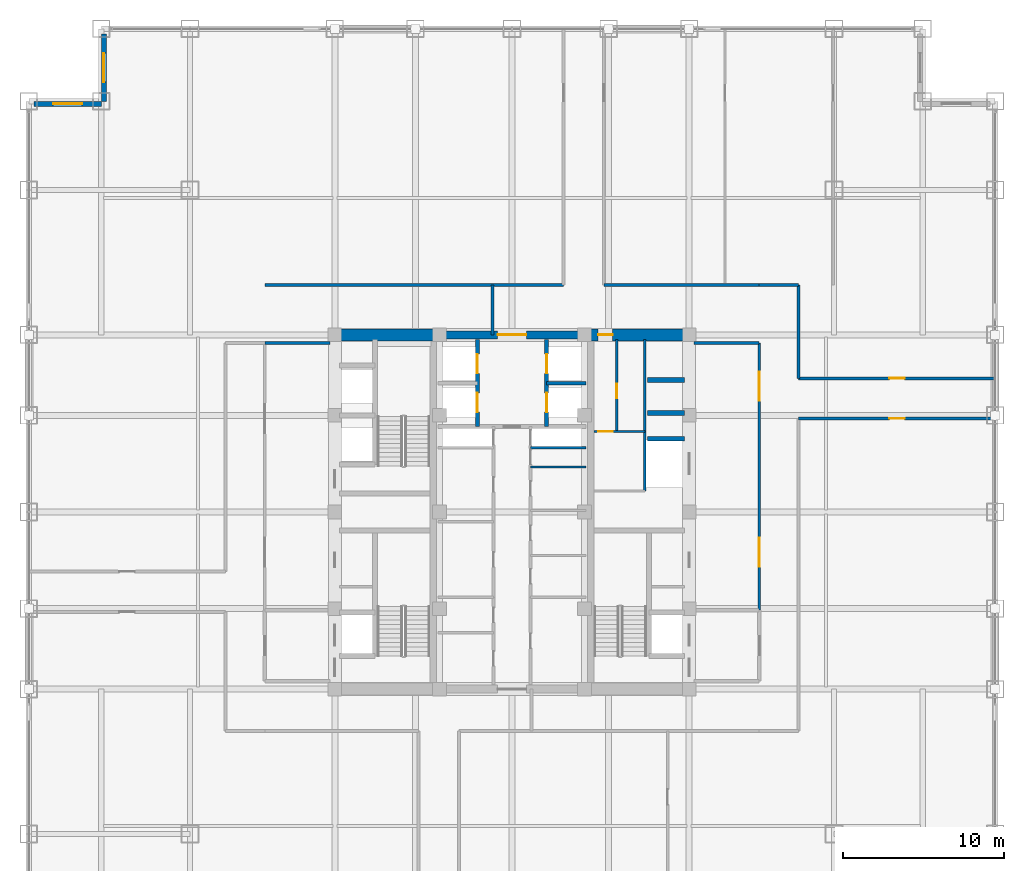
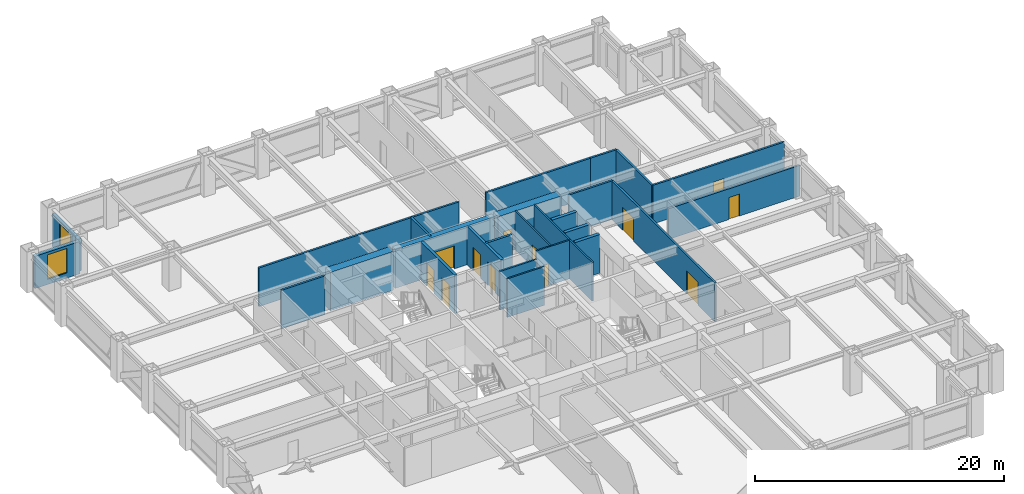
# One storey, part 22 of 24: 26 walls, 12 doors, 2 windows, 14 openings.
"""IFC4 building model written with IfcOpenShell, lengths in metres."""

from ifc_helpers import new_model, si_unit, direction, frame, frame_2d, origin, place, context, subcontext, project, spatial, rectangle, extrude, source, transform, mapped, material, layer, layer_set, type_object, element, fill, save


model = new_model("IFC4")

# Units and contexts
model_context = context("Model", 3, precision=1e-05, world=origin(), true_north=direction((0.0, 1.0)))
body_context = subcontext(model_context, "Body", "Model", "MODEL_VIEW")
ifc_project = project(units=[si_unit("LENGTHUNIT", "METRE"), si_unit("AREAUNIT", "SQUARE_METRE"), si_unit("VOLUMEUNIT", "CUBIC_METRE"), si_unit("PLANEANGLEUNIT", "RADIAN"), si_unit("MASSUNIT", "GRAM", prefix="KILO")], contexts=[model_context])

# Site, building, storey
site_placement = place(None, origin())
site = spatial("IfcSite", under=ifc_project, at=site_placement, CompositionType="ELEMENT")
building_placement = place(site_placement, origin())
building = spatial("IfcBuilding", under=site, at=building_placement, Name="Khorayat Bourse Tower", CompositionType="ELEMENT")
storey_placement = place(building_placement, frame((0.0, 0.0, 167.10009765625)))
storey = spatial("IfcBuildingStorey", under=building, at=storey_placement, Name="L38", CompositionType="ELEMENT", Elevation=167.10009765625)

# Wall
ifc_material_1 = material(Name="Concrete C72/90", Category="concrete")
ifc_layer_1 = layer(ifc_material_1, 0.75)
ifc_layer_set_1 = layer_set([ifc_layer_1], Name="Concrete C72/90")
wall_type_1 = type_object("IfcWallType", Name="WAL-CORE-750", PredefinedType="SHEAR", material=ifc_layer_set_1)
shared_shape_1 = source(origin(), body_context, "Body", "SweptSolid", [
    extrude(rectangle(XDim=5.849853515625, YDim=0.75, at=frame_2d((2.9248046875, 0.0))), origin(), (0.0, 0.0, 1.0), 3.77978515625),
])
wall_1_placement = place(storey_placement, frame((-10.699951171875, 11.0, 0.0), z_axis=(0.0, 0.0, 1.0), x_axis=(1.0, 0.0, 0.0)))
element("IfcWall", 1, at=wall_1_placement, inside=storey, type_object=wall_type_1, Name="L38 Core Shear Wall PIER-WN", PredefinedType="SHEAR", context=body_context, shape_type="MappedRepresentation", body=[
    mapped(shared_shape_1, transform((0.0, 0.0, 0.0), scale=1.0)),
])

# Wall, opening, door
wall_2_placement = place(storey_placement, frame((4.85009765625, 11.0, 0.0), z_axis=(0.0, 0.0, 1.0), x_axis=(1.0, 0.0, 0.0)))
wall_2 = element("IfcWall", 2, at=wall_2_placement, inside=storey, type_object=wall_type_1, Name="L38 Core Shear Wall PIER-EN", PredefinedType="SHEAR", context=body_context, shape_type="MappedRepresentation", body=[
    mapped(shared_shape_1, transform((0.0, 0.0, 0.0), scale=1.0)),
])
shared_shape_2 = source(origin(), body_context, "Body", "SweptSolid", [
    extrude(rectangle(XDim=0.89990234375, YDim=2.14990234375, at=frame_2d((0.449951171875, 1.074951171875))), frame((0.0, 0.385009765625, 0.0), z_axis=(0.0, -1.0, 0.0), x_axis=(1.0, 0.0, 0.0)), (0.0, 0.0, 1.0), 0.77001953125),
])
opening_1_placement = place(wall_2_placement, frame((0.5, 0.0, 0.0)))
opening_1 = element("IfcOpeningElement", 3, at=opening_1_placement, cuts=wall_2, Name="Opening DI-06", PredefinedType="OPENING", context=body_context, shape_type="MappedRepresentation", body=[
    mapped(shared_shape_2, transform((0.0, 0.0, 0.0), scale=1.0)),
])
ifc_material_2 = material(Name="Moisture-resistant laminate washroom door")
door_type_1 = type_object("IfcDoorType", Name="DR-INT-WC-900", OperationType="NOTDEFINED", PredefinedType="DOOR", material=ifc_material_2)
shared_shape_3 = source(origin(), body_context, "Body", "SweptSolid", [
    extrude(rectangle(XDim=0.89990234375, YDim=2.14990234375, at=frame_2d((0.449951171875, 1.074951171875))), frame((0.0, 0.02490234375, 0.0), z_axis=(0.0, -1.0, 0.0), x_axis=(1.0, 0.0, 0.0)), (0.0, 0.0, 1.0), 0.050048828125),
])
door_1_placement = place(opening_1_placement, origin())
door_1 = element("IfcDoor", 4, at=door_1_placement, inside=storey, type_object=door_type_1, Name="L38 Core Washroom Lobby Door", OperationType="SINGLE_SWING_LEFT", OverallHeight=2.14990234375, OverallWidth=0.89990234375, PredefinedType="DOOR", context=body_context, shape_type="MappedRepresentation", body=[
    mapped(shared_shape_3, transform((0.0, 0.0, 0.0), scale=1.0)),
])
fill(opening_1, door_1)

ifc_material_3 = material(Name="Concrete C52/65", Category="concrete")
ifc_layer_2 = layer(ifc_material_3, 0.5)
ifc_layer_set_2 = layer_set([ifc_layer_2], Name="Concrete C52/65")
wall_type_2 = type_object("IfcWallType", Name="WAL-CORE-500", PredefinedType="SHEAR", material=ifc_layer_set_2)
shared_shape_4 = source(origin(), body_context, "Body", "SweptSolid", [
    extrude(rectangle(XDim=9.2001953125, YDim=0.5, at=frame_2d((4.60009765625, 0.0))), origin(), (0.0, 0.0, 1.0), 3.77978515625),
])
wall_3_placement = place(storey_placement, frame((-4.60009765625, 11.0, 0.0), z_axis=(0.0, 0.0, 1.0), x_axis=(1.0, 0.0, 0.0)))
wall_3 = element("IfcWall", 5, at=wall_3_placement, inside=storey, type_object=wall_type_2, Name="L38 Core Shear Wall CORE-N", PredefinedType="SHEAR", context=body_context, shape_type="MappedRepresentation", body=[
    mapped(shared_shape_4, transform((0.0, 0.0, 0.0), scale=1.0)),
])
shared_shape_5 = source(origin(), body_context, "Body", "SweptSolid", [
    extrude(rectangle(XDim=1.800048828125, YDim=2.25, at=frame_2d((0.89990234375, 1.125))), frame((0.0, 0.260009765625, 0.0), z_axis=(0.0, -1.0, 0.0), x_axis=(1.0, 0.0, 0.0)), (0.0, 0.0, 1.0), 0.52001953125),
])
opening_2_placement = place(wall_3_placement, frame((3.699951171875, 0.0, 0.0)))
opening_2 = element("IfcOpeningElement", 6, at=opening_2_placement, cuts=wall_3, Name="Opening DI-03", PredefinedType="OPENING", context=body_context, shape_type="MappedRepresentation", body=[
    mapped(shared_shape_5, transform((0.0, 0.0, 0.0), scale=1.0)),
])
ifc_material_4 = material(Name="Fire-rated hardwood vision-panel double leaf", Category="wood")
door_type_2 = type_object("IfcDoorType", Name="DR-INT-CORR-1800", OperationType="NOTDEFINED", PredefinedType="DOOR", material=ifc_material_4)
shared_shape_6 = source(origin(), body_context, "Body", "SweptSolid", [
    extrude(rectangle(XDim=1.800048828125, YDim=2.25, at=frame_2d((0.89990234375, 1.125))), frame((0.0, 0.02490234375, 0.0), z_axis=(0.0, -1.0, 0.0), x_axis=(1.0, 0.0, 0.0)), (0.0, 0.0, 1.0), 0.050048828125),
])
door_2_placement = place(opening_2_placement, origin())
door_2 = element("IfcDoor", 7, at=door_2_placement, inside=storey, type_object=door_type_2, Name="L38 Mid-Rise Lift Lobby Door", OperationType="SINGLE_SWING_RIGHT", OverallHeight=2.25, OverallWidth=1.800048828125, PredefinedType="DOOR", context=body_context, shape_type="MappedRepresentation", body=[
    mapped(shared_shape_6, transform((0.0, 0.0, 0.0), scale=1.0)),
])
fill(opening_2, door_2)

# Wall, opening, window
ifc_material_5 = material(Name="Precast concrete C45/55", Category="concrete")
ifc_layer_3 = layer(ifc_material_5, 0.320068359375)
ifc_layer_set_3 = layer_set([ifc_layer_3], Name="Precast concrete C45/55")
wall_type_3 = type_object("IfcWallType", Name="WAL-EXT-STONE-320", PredefinedType="STANDARD", material=ifc_layer_set_3)
shared_shape_7 = source(origin(), body_context, "Body", "SweptSolid", [
    extrude(rectangle(XDim=4.179931640625, YDim=0.320068359375, at=frame_2d((2.08984375, 0.0))), origin(), (0.0, 0.0, 1.0), 3.163818359375),
])
wall_4_placement = place(storey_placement, frame((-25.340087890625, 25.5, 0.0), z_axis=(0.0, 0.0, 1.0), x_axis=(0.0, 1.0, 0.0)))
wall_4 = element("IfcWall", 8, at=wall_4_placement, inside=storey, type_object=wall_type_3, Name="L38 Re-Entrant Notch Limestone Wall NW-V", PredefinedType="STANDARD", context=body_context, shape_type="MappedRepresentation", body=[
    mapped(shared_shape_7, transform((0.0, 0.0, 0.0), scale=1.0)),
])
shared_shape_8 = source(origin(), body_context, "Body", "SweptSolid", [
    extrude(rectangle(XDim=1.800048828125, YDim=2.39990234375, at=frame_2d((0.89990234375, 1.199951171875))), frame((0.0, 0.169921875, 0.0), z_axis=(0.0, -1.0, 0.0), x_axis=(1.0, 0.0, 0.0)), (0.0, 0.0, 1.0), 0.340087890625),
])
opening_3_placement = place(wall_4_placement, frame((1.18994140625, 0.0, 0.5)))
opening_3 = element("IfcOpeningElement", 9, at=opening_3_placement, cuts=wall_4, Name="Opening WN-04", PredefinedType="OPENING", context=body_context, shape_type="MappedRepresentation", body=[
    mapped(shared_shape_8, transform((0.0, 0.0, 0.0), scale=1.0)),
])
ifc_material_6 = material(Name="Low-E acoustic laminated double glazing", Category="glass")
window_type = type_object("IfcWindowType", Name="WIN-NOTCH-1800x2400", PartitioningType="SINGLE_PANEL", PredefinedType="WINDOW", material=ifc_material_6)
shared_shape_9 = source(origin(), body_context, "Body", "SweptSolid", [
    extrude(rectangle(XDim=1.800048828125, YDim=2.39990234375, at=frame_2d((0.89990234375, 1.199951171875))), frame((0.0, 0.030029296875, 0.0), z_axis=(0.0, -1.0, 0.0), x_axis=(1.0, 0.0, 0.0)), (0.0, 0.0, 1.0), 0.06005859375),
])
window_1_placement = place(opening_3_placement, origin())
window_1 = element("IfcWindow", 10, at=window_1_placement, inside=storey, type_object=window_type, Name="L38 Facade Window 1", OverallHeight=2.39990234375, OverallWidth=1.800048828125, PartitioningType="SINGLE_PANEL", PredefinedType="WINDOW", context=body_context, shape_type="MappedRepresentation", body=[
    mapped(shared_shape_9, transform((0.0, 0.0, 0.0), scale=1.0)),
])
fill(opening_3, window_1)

wall_5_placement = place(storey_placement, frame((-25.5, 25.340087890625, 0.0), z_axis=(0.0, 0.0, 1.0), x_axis=(-1.0, 0.0, 0.0)))
wall_5 = element("IfcWall", 11, at=wall_5_placement, inside=storey, type_object=wall_type_3, Name="L38 Re-Entrant Notch Limestone Wall NW-H", PredefinedType="STANDARD", context=body_context, shape_type="MappedRepresentation", body=[
    mapped(shared_shape_7, transform((0.0, 0.0, 0.0), scale=1.0)),
])
opening_4_placement = place(wall_5_placement, frame((1.18994140625, 0.0, 0.5)))
opening_4 = element("IfcOpeningElement", 12, at=opening_4_placement, cuts=wall_5, Name="Opening WN-04", PredefinedType="OPENING", context=body_context, shape_type="MappedRepresentation", body=[
    mapped(shared_shape_8, transform((0.0, 0.0, 0.0), scale=1.0)),
])
window_2_placement = place(opening_4_placement, origin())
window_2 = element("IfcWindow", 13, at=window_2_placement, inside=storey, type_object=window_type, Name="L38 Facade Window 1", OverallHeight=2.39990234375, OverallWidth=1.800048828125, PartitioningType="SINGLE_PANEL", PredefinedType="WINDOW", context=body_context, shape_type="MappedRepresentation", body=[
    mapped(shared_shape_9, transform((0.0, 0.0, 0.0), scale=1.0)),
])
fill(opening_4, window_2)

# Walls
ifc_material_7 = material(Name="Concrete C50/60", Category="concrete")
ifc_layer_4 = layer(ifc_material_7, 0.300048828125)
ifc_layer_set_4 = layer_set([ifc_layer_4], Name="Concrete C50/60")
wall_type_4 = type_object("IfcWallType", Name="WAL-SHAFT-300", PredefinedType="SHEAR", material=ifc_layer_set_4)
shared_shape_10 = source(origin(), body_context, "Body", "SweptSolid", [
    extrude(rectangle(XDim=2.300048828125, YDim=0.300048828125, at=frame_2d((1.14990234375, 0.0))), origin(), (0.0, 0.0, 1.0), 3.77978515625),
])
for number, where, z_axis, x_axis, name in (
    (14, (8.39990234375, 4.550048828125, 0.0), (0.0, 0.0, 1.0), (1.0, 0.0, 0.0), "L38 Partition WAL-L38-EPIER-SVLN"),
    (15, (8.39990234375, 6.14990234375, 0.0), (0.0, 0.0, 1.0), (1.0, 0.0, 0.0), "L38 Partition WAL-L38-EPIER-H3S"),
    (16, (8.39990234375, 8.199951171875, 0.0), (0.0, 0.0, 1.0), (1.0, 0.0, 0.0), "L38 Partition WAL-L38-EPIER-H34"),
):
    element("IfcWall", number, at=place(storey_placement, frame(where, z_axis=z_axis, x_axis=x_axis)), inside=storey, type_object=wall_type_4, Name=name, PredefinedType="SHEAR", context=body_context, shape_type="MappedRepresentation", body=[
        mapped(shared_shape_10, transform((0.0, 0.0, 0.0), scale=1.0)),
    ])
ifc_material_8 = material(Name="Moisture-resistant masonry partition", Category="masonry")
ifc_layer_5 = layer(ifc_material_8, 0.139892578125)
ifc_layer_set_5 = layer_set([ifc_layer_5], Name="Moisture-resistant masonry partition")
wall_type_5 = type_object("IfcWallType", Name="WAL-PART-WET-140", PredefinedType="PARTITIONING", material=ifc_layer_set_5)
shared_shape_11 = source(origin(), body_context, "Body", "SweptSolid", [
    extrude(rectangle(XDim=9.39990234375, YDim=0.139892578125, at=frame_2d((4.699951171875, 0.0))), origin(), (0.0, 0.0, 1.0), 3.77978515625),
])
wall_6_placement = place(storey_placement, frame((8.25, 1.300048828125, 0.0), z_axis=(0.0, 0.0, 1.0), x_axis=(0.0, 1.0, 0.0)))
element("IfcWall", 17, at=wall_6_placement, inside=storey, type_object=wall_type_5, Name="L38 Partition WAL-L38-ECORE-E", PredefinedType="PARTITIONING", context=body_context, shape_type="MappedRepresentation", body=[
    mapped(shared_shape_11, transform((0.0, 0.0, 0.0), scale=1.0)),
])

# Wall, opening, door
shared_shape_12 = source(origin(), body_context, "Body", "SweptSolid", [
    extrude(rectangle(XDim=3.14990234375, YDim=0.139892578125, at=frame_2d((1.574951171875, 0.0))), origin(), (0.0, 0.0, 1.0), 3.77978515625),
])
wall_7_placement = place(storey_placement, frame((5.10009765625, 5.0, 0.0), z_axis=(0.0, 0.0, 1.0), x_axis=(1.0, 0.0, 0.0)))
wall_7 = element("IfcWall", 18, at=wall_7_placement, inside=storey, type_object=wall_type_5, Name="L38 Partition WAL-L38-ECW-BOT", PredefinedType="PARTITIONING", context=body_context, shape_type="MappedRepresentation", body=[
    mapped(shared_shape_12, transform((0.0, 0.0, 0.0), scale=1.0)),
])
shared_shape_13 = source(origin(), body_context, "Body", "SweptSolid", [
    extrude(rectangle(XDim=0.89990234375, YDim=2.14990234375, at=frame_2d((0.449951171875, 1.074951171875))), frame((0.0, 0.079833984375, 0.0), z_axis=(0.0, -1.0, 0.0), x_axis=(1.0, 0.0, 0.0)), (0.0, 0.0, 1.0), 0.159912109375),
])
opening_5_placement = place(wall_7_placement, frame((0.25, 0.0, 0.0)))
opening_5 = element("IfcOpeningElement", 19, at=opening_5_placement, cuts=wall_7, Name="Opening DI-06", PredefinedType="OPENING", context=body_context, shape_type="MappedRepresentation", body=[
    mapped(shared_shape_13, transform((0.0, 0.0, 0.0), scale=1.0)),
])
door_3_placement = place(opening_5_placement, origin())
door_3 = element("IfcDoor", 20, at=door_3_placement, inside=storey, type_object=door_type_1, Name="L38 Shared Washroom Door", OperationType="SINGLE_SWING_LEFT", OverallHeight=2.14990234375, OverallWidth=0.89990234375, PredefinedType="DOOR", context=body_context, shape_type="MappedRepresentation", body=[
    mapped(shared_shape_3, transform((0.0, 0.0, 0.0), scale=1.0)),
])
fill(opening_5, door_3)

# Walls
ifc_material_9 = material(Name="Gypsum plasterboard acoustic stud wall")
ifc_layer_6 = layer(ifc_material_9, 0.179931640625)
ifc_layer_set_6 = layer_set([ifc_layer_6], Name="Gypsum plasterboard acoustic stud wall")
wall_type_6 = type_object("IfcWallType", Name="WAL-PART-CORR-180", PredefinedType="PARTITIONING", material=ifc_layer_set_6)
shared_shape_14 = source(origin(), body_context, "Body", "SweptSolid", [
    extrude(rectangle(XDim=4.050048828125, YDim=0.179931640625, at=frame_2d((2.02490234375, 0.0))), origin(), (0.0, 0.0, 1.0), 3.77978515625),
])
for number, where, z_axis, x_axis, name in (
    (21, (-15.35009765625, 10.5, 0.0), (0.0, 0.0, 1.0), (1.0, 0.0, 0.0), "L38 Partition WAL-L38-WLOB-N"),
    (22, (11.300048828125, 10.5, 0.0), (0.0, 0.0, 1.0), (1.0, 0.0, 0.0), "L38 Partition WAL-L38-ELOB-N"),
):
    element("IfcWall", number, at=place(storey_placement, frame(where, z_axis=z_axis, x_axis=x_axis)), inside=storey, type_object=wall_type_6, Name=name, PredefinedType="PARTITIONING", context=body_context, shape_type="MappedRepresentation", body=[
        mapped(shared_shape_14, transform((0.0, 0.0, 0.0), scale=1.0)),
    ])

# Wall, openings, doors
shared_shape_15 = source(origin(), body_context, "Body", "SweptSolid", [
    extrude(rectangle(XDim=16.60009765625, YDim=0.179931640625, at=frame_2d((8.300048828125, 0.0))), origin(), (0.0, 0.0, 1.0), 3.77978515625),
])
wall_8_placement = place(storey_placement, frame((15.35009765625, -6.10009765625, 0.0), z_axis=(0.0, 0.0, 1.0), x_axis=(0.0, 1.0, 0.0)))
wall_8 = element("IfcWall", 23, at=wall_8_placement, inside=storey, type_object=wall_type_6, Name="L38 Partition WAL-L38-ELOB-E", PredefinedType="PARTITIONING", context=body_context, shape_type="MappedRepresentation", body=[
    mapped(shared_shape_15, transform((0.0, 0.0, 0.0), scale=1.0)),
])
shared_shape_16 = source(origin(), body_context, "Body", "SweptSolid", [
    extrude(rectangle(XDim=1.800048828125, YDim=2.25, at=frame_2d((0.89990234375, 1.125))), frame((0.0, 0.099853515625, 0.0), z_axis=(0.0, -1.0, 0.0), x_axis=(1.0, 0.0, 0.0)), (0.0, 0.0, 1.0), 0.199951171875),
])
opening_6_placement = place(wall_8_placement, frame((2.699951171875, 0.0, 0.0)))
opening_6 = element("IfcOpeningElement", 24, at=opening_6_placement, cuts=wall_8, Name="Opening DI-03", PredefinedType="OPENING", context=body_context, shape_type="MappedRepresentation", body=[
    mapped(shared_shape_16, transform((0.0, 0.0, 0.0), scale=1.0)),
])
opening_7_placement = place(wall_8_placement, frame((13.0, 0.0, 0.0)))
opening_7 = element("IfcOpeningElement", 25, at=opening_7_placement, cuts=wall_8, Name="Opening DI-03", PredefinedType="OPENING", context=body_context, shape_type="MappedRepresentation", body=[
    mapped(shared_shape_16, transform((0.0, 0.0, 0.0), scale=1.0)),
])
door_4_placement = place(opening_6_placement, origin())
door_4 = element("IfcDoor", 26, at=door_4_placement, inside=storey, type_object=door_type_2, Name="L38 East Core Lobby South Door", OperationType="SINGLE_SWING_RIGHT", OverallHeight=2.25, OverallWidth=1.800048828125, PredefinedType="DOOR", context=body_context, shape_type="MappedRepresentation", body=[
    mapped(shared_shape_6, transform((0.0, 0.0, 0.0), scale=1.0)),
])
fill(opening_6, door_4)
door_5_placement = place(opening_7_placement, origin())
door_5 = element("IfcDoor", 27, at=door_5_placement, inside=storey, type_object=door_type_2, Name="L38 East Core Lobby North Door", OperationType="SINGLE_SWING_LEFT", OverallHeight=2.25, OverallWidth=1.800048828125, PredefinedType="DOOR", context=body_context, shape_type="MappedRepresentation", body=[
    mapped(shared_shape_6, transform((0.0, 0.0, 0.0), scale=1.0)),
])
fill(opening_7, door_5)

# Walls
ifc_material_10 = material(Name="Gypsum plasterboard twin-frame partition")
ifc_layer_7 = layer(ifc_material_10, 0.14990234375)
ifc_layer_set_7 = layer_set([ifc_layer_7], Name="Gypsum plasterboard twin-frame partition")
wall_type_7 = type_object("IfcWallType", Name="WAL-PART-SUITE-150", PredefinedType="PARTITIONING", material=ifc_layer_set_7)
shared_shape_17 = source(origin(), body_context, "Body", "SweptSolid", [
    extrude(rectangle(XDim=3.4501953125, YDim=0.14990234375, at=frame_2d((1.72509765625, 0.0))), origin(), (0.0, 0.0, 1.0), 3.77978515625),
])
wall_9_placement = place(storey_placement, frame((1.14990234375, 4.0, 0.0), z_axis=(0.0, 0.0, 1.0), x_axis=(1.0, 0.0, 0.0)))
element("IfcWall", 28, at=wall_9_placement, inside=storey, type_object=wall_type_7, Name="L38 Partition WAL-L38-CRSE-S", PredefinedType="PARTITIONING", context=body_context, shape_type="MappedRepresentation", body=[
    mapped(shared_shape_17, transform((0.0, 0.0, 0.0), scale=1.0)),
])
shared_shape_18 = source(origin(), body_context, "Body", "SweptSolid", [
    extrude(rectangle(XDim=3.4501953125, YDim=0.139892578125, at=frame_2d((1.72509765625, 0.0))), origin(), (0.0, 0.0, 1.0), 3.77978515625),
])
wall_10_placement = place(storey_placement, frame((1.14990234375, 2.800048828125, 0.0), z_axis=(0.0, 0.0, 1.0), x_axis=(1.0, 0.0, 0.0)))
element("IfcWall", 29, at=wall_10_placement, inside=storey, type_object=wall_type_5, Name="L38 Partition WAL-L38-CME-D3", PredefinedType="PARTITIONING", context=body_context, shape_type="MappedRepresentation", body=[
    mapped(shared_shape_18, transform((0.0, 0.0, 0.0), scale=1.0)),
])

# Wall, openings, doors
shared_shape_19 = source(origin(), body_context, "Body", "SweptSolid", [
    extrude(rectangle(XDim=5.39990234375, YDim=0.25, at=frame_2d((2.699951171875, 0.0))), origin(), (0.0, 0.0, 1.0), 3.77978515625),
])
wall_11_placement = place(storey_placement, frame((-2.14990234375, 5.300048828125, 0.0), z_axis=(0.0, 0.0, 1.0), x_axis=(0.0, 1.0, 0.0)))
wall_11 = element("IfcWall", 30, at=wall_11_placement, inside=storey, type_object=wall_type_4, Name="L38 Partition WAL-L38-B2-W", PredefinedType="SHEAR", context=body_context, shape_type="MappedRepresentation", body=[
    mapped(shared_shape_19, transform((0.0, 0.0, 0.0), scale=1.0)),
])
shared_shape_20 = source(origin(), body_context, "Body", "SweptSolid", [
    extrude(rectangle(XDim=1.199951171875, YDim=2.300048828125, at=frame_2d((0.60009765625, 1.14990234375))), frame((0.0, 0.135009765625, 0.0), z_axis=(0.0, -1.0, 0.0), x_axis=(1.0, 0.0, 0.0)), (0.0, 0.0, 1.0), 0.27001953125),
])
opening_8_placement = place(wall_11_placement, frame((3.300048828125, 0.0, 0.0)))
opening_8 = element("IfcOpeningElement", 31, at=opening_8_placement, cuts=wall_11, Name="Opening LD-01", PredefinedType="OPENING", context=body_context, shape_type="MappedRepresentation", body=[
    mapped(shared_shape_20, transform((0.0, 0.0, 0.0), scale=1.0)),
])
opening_9_placement = place(wall_11_placement, frame((0.89990234375, 0.0, 0.0)))
opening_9 = element("IfcOpeningElement", 32, at=opening_9_placement, cuts=wall_11, Name="Opening LD-01", PredefinedType="OPENING", context=body_context, shape_type="MappedRepresentation", body=[
    mapped(shared_shape_20, transform((0.0, 0.0, 0.0), scale=1.0)),
])
ifc_material_11 = material(Name="Brushed bronze stainless-steel sliding door", Category="steel")
door_type_3 = type_object("IfcDoorType", Name="DR-LIFT-PASS-1200", OperationType="NOTDEFINED", PredefinedType="DOOR", material=ifc_material_11)
shared_shape_21 = source(origin(), body_context, "Body", "SweptSolid", [
    extrude(rectangle(XDim=1.199951171875, YDim=2.300048828125, at=frame_2d((0.60009765625, 1.14990234375))), frame((0.0, 0.02490234375, 0.0), z_axis=(0.0, -1.0, 0.0), x_axis=(1.0, 0.0, 0.0)), (0.0, 0.0, 1.0), 0.050048828125),
])
door_6_placement = place(opening_8_placement, origin())
door_6 = element("IfcDoor", 33, at=door_6_placement, inside=storey, type_object=door_type_3, Name="L38 Lift PL-M1 Sliding Landing Door", OperationType="SLIDING_TO_LEFT", OverallHeight=2.300048828125, OverallWidth=1.199951171875, PredefinedType="DOOR", context=body_context, shape_type="MappedRepresentation", body=[
    mapped(shared_shape_21, transform((0.0, 0.0, 0.0), scale=1.0)),
])
fill(opening_8, door_6)
door_7_placement = place(opening_9_placement, origin())
door_7 = element("IfcDoor", 34, at=door_7_placement, inside=storey, type_object=door_type_3, Name="L38 Lift PL-M3 Sliding Landing Door", OperationType="SLIDING_TO_LEFT", OverallHeight=2.300048828125, OverallWidth=1.199951171875, PredefinedType="DOOR", context=body_context, shape_type="MappedRepresentation", body=[
    mapped(shared_shape_21, transform((0.0, 0.0, 0.0), scale=1.0)),
])
fill(opening_9, door_7)

wall_12_placement = place(storey_placement, frame((2.14990234375, 5.300048828125, 0.0), z_axis=(0.0, 0.0, 1.0), x_axis=(0.0, 1.0, 0.0)))
wall_12 = element("IfcWall", 35, at=wall_12_placement, inside=storey, type_object=wall_type_4, Name="L38 Partition WAL-L38-B2-E", PredefinedType="SHEAR", context=body_context, shape_type="MappedRepresentation", body=[
    mapped(shared_shape_19, transform((0.0, 0.0, 0.0), scale=1.0)),
])
opening_10_placement = place(wall_12_placement, frame((3.300048828125, 0.0, 0.0)))
opening_10 = element("IfcOpeningElement", 36, at=opening_10_placement, cuts=wall_12, Name="Opening LD-01", PredefinedType="OPENING", context=body_context, shape_type="MappedRepresentation", body=[
    mapped(shared_shape_20, transform((0.0, 0.0, 0.0), scale=1.0)),
])
opening_11_placement = place(wall_12_placement, frame((0.89990234375, 0.0, 0.0)))
opening_11 = element("IfcOpeningElement", 37, at=opening_11_placement, cuts=wall_12, Name="Opening LD-01", PredefinedType="OPENING", context=body_context, shape_type="MappedRepresentation", body=[
    mapped(shared_shape_20, transform((0.0, 0.0, 0.0), scale=1.0)),
])
door_8_placement = place(opening_10_placement, origin())
door_8 = element("IfcDoor", 38, at=door_8_placement, inside=storey, type_object=door_type_3, Name="L38 Lift PL-M2 Sliding Landing Door", OperationType="SLIDING_TO_LEFT", OverallHeight=2.300048828125, OverallWidth=1.199951171875, PredefinedType="DOOR", context=body_context, shape_type="MappedRepresentation", body=[
    mapped(shared_shape_21, transform((0.0, 0.0, 0.0), scale=1.0)),
])
fill(opening_10, door_8)
door_9_placement = place(opening_11_placement, origin())
door_9 = element("IfcDoor", 39, at=door_9_placement, inside=storey, type_object=door_type_3, Name="L38 Lift PL-M4 Sliding Landing Door", OperationType="SLIDING_TO_LEFT", OverallHeight=2.300048828125, OverallWidth=1.199951171875, PredefinedType="DOOR", context=body_context, shape_type="MappedRepresentation", body=[
    mapped(shared_shape_21, transform((0.0, 0.0, 0.0), scale=1.0)),
])
fill(opening_11, door_9)

# Walls
shared_shape_22 = source(origin(), body_context, "Body", "SweptSolid", [
    extrude(rectangle(XDim=2.4501953125, YDim=0.199951171875, at=frame_2d((1.22509765625, 0.0))), origin(), (0.0, 0.0, 1.0), 3.77978515625),
])
wall_13_placement = place(storey_placement, frame((2.14990234375, 8.0, 0.0), z_axis=(0.0, 0.0, 1.0), x_axis=(1.0, 0.0, 0.0)))
element("IfcWall", 40, at=wall_13_placement, inside=storey, type_object=wall_type_4, Name="L38 Partition WAL-L38-B2-ME", PredefinedType="SHEAR", context=body_context, shape_type="MappedRepresentation", body=[
    mapped(shared_shape_22, transform((0.0, 0.0, 0.0), scale=1.0)),
])
shared_shape_23 = source(origin(), body_context, "Body", "SweptSolid", [
    extrude(rectangle(XDim=2.449951171875, YDim=0.179931640625, at=frame_2d((1.22509765625, 0.0))), origin(), (0.0, 0.0, 1.0), 3.77978515625),
])
wall_14_placement = place(storey_placement, frame((15.35009765625, 14.10009765625, 0.0), z_axis=(0.0, 0.0, 1.0), x_axis=(1.0, 0.0, 0.0)))
element("IfcWall", 41, at=wall_14_placement, inside=storey, type_object=wall_type_6, Name="L38 Partition WAL-L38-C2-EN", PredefinedType="PARTITIONING", context=body_context, shape_type="MappedRepresentation", body=[
    mapped(shared_shape_23, transform((0.0, 0.0, 0.0), scale=1.0)),
])

# Wall, opening, door
shared_shape_24 = source(origin(), body_context, "Body", "SweptSolid", [
    extrude(rectangle(XDim=12.199951171875, YDim=0.179931640625, at=frame_2d((6.10009765625, 0.0))), origin(), (0.0, 0.0, 1.0), 3.77978515625),
])
wall_15_placement = place(storey_placement, frame((17.800048828125, 8.300048828125, 0.0), z_axis=(0.0, 0.0, 1.0), x_axis=(1.0, 0.0, 0.0)))
wall_15 = element("IfcWall", 42, at=wall_15_placement, inside=storey, type_object=wall_type_6, Name="L38 Partition WAL-L38-EN-SPK", PredefinedType="PARTITIONING", context=body_context, shape_type="MappedRepresentation", body=[
    mapped(shared_shape_24, transform((0.0, 0.0, 0.0), scale=1.0)),
])
shared_shape_25 = source(origin(), body_context, "Body", "SweptSolid", [
    extrude(rectangle(XDim=0.949951171875, YDim=2.14990234375, at=frame_2d((0.47509765625, 1.074951171875))), frame((0.0, 0.099853515625, 0.0), z_axis=(0.0, -1.0, 0.0), x_axis=(1.0, 0.0, 0.0)), (0.0, 0.0, 1.0), 0.199951171875),
])
opening_12_placement = place(wall_15_placement, frame((5.625, 0.0, 0.0)))
opening_12 = element("IfcOpeningElement", 43, at=opening_12_placement, cuts=wall_15, Name="Opening DI-05", PredefinedType="OPENING", context=body_context, shape_type="MappedRepresentation", body=[
    mapped(shared_shape_25, transform((0.0, 0.0, 0.0), scale=1.0)),
])
ifc_material_12 = material(Name="Acoustic oak veneer office door")
door_type_4 = type_object("IfcDoorType", Name="DR-INT-OFFICE-950", OperationType="NOTDEFINED", PredefinedType="DOOR", material=ifc_material_12)
shared_shape_26 = source(origin(), body_context, "Body", "SweptSolid", [
    extrude(rectangle(XDim=0.949951171875, YDim=2.14990234375, at=frame_2d((0.47509765625, 1.074951171875))), frame((0.0, 0.02490234375, 0.0), z_axis=(0.0, -1.0, 0.0), x_axis=(1.0, 0.0, 0.0)), (0.0, 0.0, 1.0), 0.050048828125),
])
door_10_placement = place(opening_12_placement, origin())
door_10 = element("IfcDoor", 44, at=door_10_placement, inside=storey, type_object=door_type_4, Name="L38 Clearing Operations Office EN Door", OperationType="SINGLE_SWING_LEFT", OverallHeight=2.14990234375, OverallWidth=0.949951171875, PredefinedType="DOOR", context=body_context, shape_type="MappedRepresentation", body=[
    mapped(shared_shape_26, transform((0.0, 0.0, 0.0), scale=1.0)),
])
fill(opening_12, door_10)

shared_shape_27 = source(origin(), body_context, "Body", "SweptSolid", [
    extrude(rectangle(XDim=12.199951171875, YDim=0.179931640625, at=frame_2d((6.10009765625, 0.0))), origin(), (0.0, 0.0, 1.0), 3.0068359375),
])
wall_16_placement = place(storey_placement, frame((17.800048828125, 5.800048828125, 0.0), z_axis=(0.0, 0.0, 1.0), x_axis=(1.0, 0.0, 0.0)))
wall_16 = element("IfcWall", 45, at=wall_16_placement, inside=storey, type_object=wall_type_6, Name="L38 Partition WAL-L38-ES-SPK", PredefinedType="PARTITIONING", context=body_context, shape_type="MappedRepresentation", body=[
    mapped(shared_shape_27, transform((0.0, 0.0, 0.0), scale=1.0)),
])
opening_13_placement = place(wall_16_placement, frame((5.625, 0.0, 0.0)))
opening_13 = element("IfcOpeningElement", 46, at=opening_13_placement, cuts=wall_16, Name="Opening DI-05", PredefinedType="OPENING", context=body_context, shape_type="MappedRepresentation", body=[
    mapped(shared_shape_25, transform((0.0, 0.0, 0.0), scale=1.0)),
])
door_11_placement = place(opening_13_placement, origin())
door_11 = element("IfcDoor", 47, at=door_11_placement, inside=storey, type_object=door_type_4, Name="L38 Equities Trading Desk ES Door", OperationType="SINGLE_SWING_LEFT", OverallHeight=2.14990234375, OverallWidth=0.949951171875, PredefinedType="DOOR", context=body_context, shape_type="MappedRepresentation", body=[
    mapped(shared_shape_26, transform((0.0, 0.0, 0.0), scale=1.0)),
])
fill(opening_13, door_11)

shared_shape_28 = source(origin(), body_context, "Body", "SweptSolid", [
    extrude(rectangle(XDim=5.699951171875, YDim=0.139892578125, at=frame_2d((2.85009765625, 0.0))), origin(), (0.0, 0.0, 1.0), 3.77978515625),
])
wall_17_placement = place(storey_placement, frame((6.5, 5.0, 0.0), z_axis=(0.0, 0.0, 1.0), x_axis=(0.0, 1.0, 0.0)))
wall_17 = element("IfcWall", 48, at=wall_17_placement, inside=storey, type_object=wall_type_5, Name="L38 Partition WAL-L38-ECW-MID", PredefinedType="PARTITIONING", context=body_context, shape_type="MappedRepresentation", body=[
    mapped(shared_shape_28, transform((0.0, 0.0, 0.0), scale=1.0)),
])
opening_14_placement = place(wall_17_placement, frame((2.050048828125, 0.0, 0.0)))
opening_14 = element("IfcOpeningElement", 49, at=opening_14_placement, cuts=wall_17, Name="Opening DI-06", PredefinedType="OPENING", context=body_context, shape_type="MappedRepresentation", body=[
    mapped(shared_shape_13, transform((0.0, 0.0, 0.0), scale=1.0)),
])
door_12_placement = place(opening_14_placement, origin())
door_12 = element("IfcDoor", 50, at=door_12_placement, inside=storey, type_object=door_type_1, Name="L38 Accessible WC Door", OperationType="SINGLE_SWING_RIGHT", OverallHeight=2.14990234375, OverallWidth=0.89990234375, PredefinedType="DOOR", context=body_context, shape_type="MappedRepresentation", body=[
    mapped(shared_shape_3, transform((0.0, 0.0, 0.0), scale=1.0)),
])
fill(opening_14, door_12)

# Walls
shared_shape_29 = source(origin(), body_context, "Body", "SweptSolid", [
    extrude(rectangle(XDim=3.10009765625, YDim=0.179931640625, at=frame_2d((1.550048828125, 0.0))), origin(), (0.0, 0.0, 1.0), 3.77978515625),
])
wall_18_placement = place(storey_placement, frame((-1.199951171875, 11.0, 0.0), z_axis=(0.0, 0.0, 1.0), x_axis=(0.0, 1.0, 0.0)))
element("IfcWall", 51, at=wall_18_placement, inside=storey, type_object=wall_type_6, Name="L38 Partition WAL-L38-C2-NCW", PredefinedType="PARTITIONING", context=body_context, shape_type="MappedRepresentation", body=[
    mapped(shared_shape_29, transform((0.0, 0.0, 0.0), scale=1.0)),
])
shared_shape_30 = source(origin(), body_context, "Body", "SweptSolid", [
    extrude(rectangle(XDim=18.550048828125, YDim=0.179931640625, at=frame_2d((9.27490234375, 0.0))), origin(), (0.0, 0.0, 1.0), 3.77978515625),
])
wall_19_placement = place(storey_placement, frame((-15.35009765625, 14.10009765625, 0.0), z_axis=(0.0, 0.0, 1.0), x_axis=(1.0, 0.0, 0.0)))
element("IfcWall", 52, at=wall_19_placement, inside=storey, type_object=wall_type_6, Name="L38 Partition WAL-L38-QNW-HC", PredefinedType="PARTITIONING", context=body_context, shape_type="MappedRepresentation", body=[
    mapped(shared_shape_30, transform((0.0, 0.0, 0.0), scale=1.0)),
])
shared_shape_31 = source(origin(), body_context, "Body", "SweptSolid", [
    extrude(rectangle(XDim=9.650146484375, YDim=0.179931640625, at=frame_2d((4.8251953125, 0.0))), origin(), (0.0, 0.0, 1.0), 3.77978515625),
])
wall_20_placement = place(storey_placement, frame((5.699951171875, 14.10009765625, 0.0), z_axis=(0.0, 0.0, 1.0), x_axis=(1.0, 0.0, 0.0)))
element("IfcWall", 53, at=wall_20_placement, inside=storey, type_object=wall_type_6, Name="L38 Partition WAL-L38-QNE-HC", PredefinedType="PARTITIONING", context=body_context, shape_type="MappedRepresentation", body=[
    mapped(shared_shape_31, transform((0.0, 0.0, 0.0), scale=1.0)),
])
shared_shape_32 = source(origin(), body_context, "Body", "SweptSolid", [
    extrude(rectangle(XDim=5.800048828125, YDim=0.179931640625, at=frame_2d((2.89990234375, 0.0))), origin(), (0.0, 0.0, 1.0), 3.77978515625),
])
wall_21_placement = place(storey_placement, frame((17.800048828125, 8.300048828125, 0.0), z_axis=(0.0, 0.0, 1.0), x_axis=(0.0, 1.0, 0.0)))
element("IfcWall", 54, at=wall_21_placement, inside=storey, type_object=wall_type_6, Name="L38 Partition WAL-L38-EN-IN", PredefinedType="PARTITIONING", context=body_context, shape_type="MappedRepresentation", body=[
    mapped(shared_shape_32, transform((0.0, 0.0, 0.0), scale=1.0)),
])

save(model, "model.ifc")
